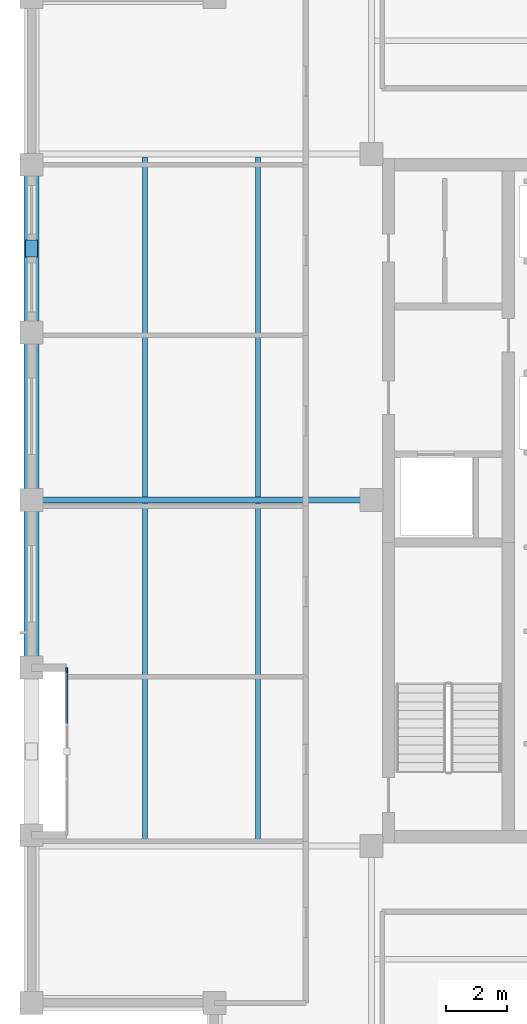
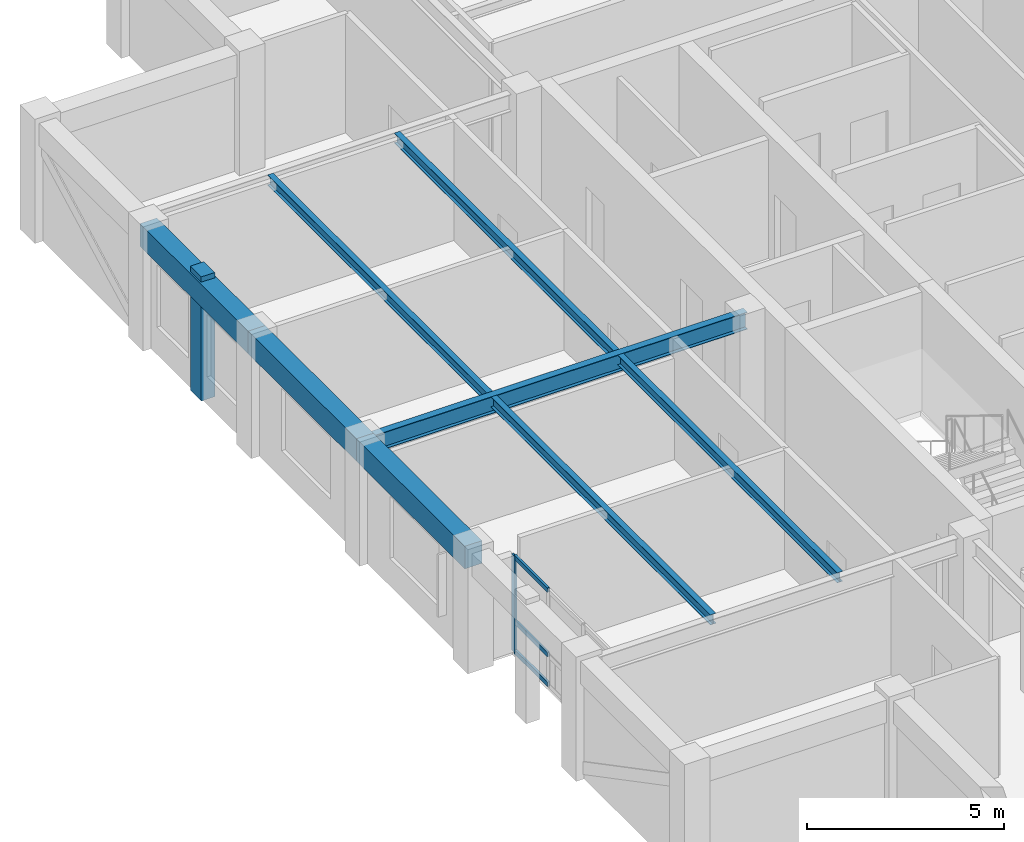
# One storey, part 4 of 13: 8 beams, 5 members, 1 element without a shape of its own.
"""IFC4 building model written with IfcOpenShell, lengths in metres."""

from ifc_helpers import new_model, si_unit, direction, frame, origin, origin_2d, place, context, subcontext, project, spatial, rectangle, i_section, extrude, material, layer, layer_set, material_profile, profile_set, type_object, element, aggregate, save


model = new_model("IFC4")

# Units and contexts
model_context = context("Model", 3, precision=1e-05, world=origin(), true_north=direction((0.0, 1.0)))
body_context = subcontext(model_context, "Body", "Model", "MODEL_VIEW")
ifc_project = project(units=[si_unit("LENGTHUNIT", "METRE"), si_unit("AREAUNIT", "SQUARE_METRE"), si_unit("VOLUMEUNIT", "CUBIC_METRE"), si_unit("PLANEANGLEUNIT", "RADIAN"), si_unit("MASSUNIT", "GRAM", prefix="KILO")], contexts=[model_context])

# Site, building, storey
site_placement = place(None, origin())
site = spatial("IfcSite", under=ifc_project, at=site_placement, CompositionType="ELEMENT")
building_placement = place(site_placement, origin())
building = spatial("IfcBuilding", under=site, at=building_placement, Name="Nhamokura Convention Tower", CompositionType="ELEMENT")
storey_placement = place(building_placement, frame((0.0, 0.0, 300.64990234375)))
storey = spatial("IfcBuildingStorey", under=building, at=storey_placement, Name="L74", CompositionType="ELEMENT", Elevation=300.64990234375)

# Member
ifc_material_1 = material(Name="Bronze-pigmented precast concrete C45/55", Category="concrete")
ifc_material_profile_1 = material_profile(ifc_material_1, rectangle(XDim=0.39990234375, YDim=0.550048828125, at=origin_2d()))
ifc_profile_set_1 = profile_set([ifc_material_profile_1], Name="Bronze-pigmented precast concrete C45/55")
member_type_1 = type_object("IfcMemberType", Name="BronzePilaster_550", PredefinedType="USERDEFINED", material=ifc_profile_set_1)
member_1_placement = place(storey_placement, frame((9.5, 40.25, 0.0), z_axis=(0.0, 0.0, 1.0), x_axis=(1.0, 0.0, 0.0)))
element("IfcMember", 1, at=member_1_placement, inside=storey, type_object=member_type_1, Name="L74 Engaged Frame Pilaster WEST 4", ObjectType="PILASTER_TRIM", PredefinedType="USERDEFINED", context=body_context, shape_type="SweptSolid", body=[
    extrude(rectangle(XDim=0.39990234375, YDim=0.550048828125, at=origin_2d()), origin(), (0.0, 0.0, 1.0), 3.85009765625),
])

# Curtain wall, members
ifc_material_2 = material(Name="Anodised bronze aluminium AA6063-T6", Category="aluminium")
ifc_layer = layer(ifc_material_2, 0.155029296875)
ifc_layer_set = layer_set([ifc_layer], Name="CWSystem_ScaleSlot_Zone3")
curtain_wall_type = type_object("IfcCurtainWallType", Name="CWSystem_ScaleSlot_Zone3", PredefinedType="NOTDEFINED", material=ifc_layer_set)
curtain_wall_placement = place(storey_placement, origin())
curtain_wall = element("IfcCurtainWall", 2, at=curtain_wall_placement, inside=storey, type_object=curtain_wall_type, Name="L74 Curtain Wall ENV-L74-SLOT-W1", PredefinedType="NOTDEFINED")
ifc_material_3 = material(Name="Anodised bronze aluminium AA6063-T6", Category="aluminium")
ifc_material_profile_2 = material_profile(ifc_material_3, rectangle(XDim=0.06494140625, YDim=0.1650390625, at=origin_2d()))
ifc_profile_set_2 = profile_set([ifc_material_profile_2], Name="Anodised bronze aluminium AA6063-T6")
member_type_2 = type_object("IfcMemberType", Name="CWMullion_3", PredefinedType="MULLION", material=ifc_profile_set_2)
member_2_placement = place(storey_placement, frame((10.64990234375, 26.407470703125, 0.0), z_axis=(0.0, 0.0, 1.0), x_axis=(-1.0, 0.0, 0.0)))
member_2 = element("IfcMember", 3, at=member_2_placement, type_object=member_type_2, Name="CW-05 mullion 4", PredefinedType="MULLION", context=body_context, shape_type="SweptSolid", body=[
    extrude(rectangle(XDim=0.06494140625, YDim=0.1650390625, at=origin_2d()), origin(), (0.0, 0.0, 1.0), 2.985107421875),
])
ifc_material_4 = material(Name="Anodised bronze aluminium AA6063-T6", Category="aluminium")
ifc_material_profile_3 = material_profile(ifc_material_4, rectangle(XDim=0.06494140625, YDim=0.139892578125, at=origin_2d()))
ifc_profile_set_3 = profile_set([ifc_material_profile_3], Name="Anodised bronze aluminium AA6063-T6")
member_type_3 = type_object("IfcMemberType", Name="CWTransom_3", PredefinedType="USERDEFINED", material=ifc_profile_set_3)
member_3_placement = place(storey_placement, frame((10.64990234375, 24.67919921875, 0.03271484375), z_axis=(0.0, 1.0, 0.0), x_axis=(-1.0, 0.0, 0.0)))
member_3 = element("IfcMember", 4, at=member_3_placement, type_object=member_type_3, Name="CW-05 transom 3.1", ObjectType="TRANSOM", PredefinedType="USERDEFINED", context=body_context, shape_type="SweptSolid", body=[
    extrude(rectangle(XDim=0.06494140625, YDim=0.139892578125, at=origin_2d()), origin(), (0.0, 0.0, 1.0), 1.69580078125),
])
member_4_placement = place(storey_placement, frame((10.64990234375, 24.67919921875, 0.9501953125), z_axis=(0.0, 1.0, 0.0), x_axis=(-1.0, 0.0, 0.0)))
member_4 = element("IfcMember", 5, at=member_4_placement, type_object=member_type_3, Name="CW-05 transom 3.2", ObjectType="TRANSOM", PredefinedType="USERDEFINED", context=body_context, shape_type="SweptSolid", body=[
    extrude(rectangle(XDim=0.06494140625, YDim=0.139892578125, at=origin_2d()), origin(), (0.0, 0.0, 1.0), 1.69580078125),
])
member_5_placement = place(storey_placement, frame((10.64990234375, 24.67919921875, 2.95263671875), z_axis=(0.0, 1.0, 0.0), x_axis=(-1.0, 0.0, 0.0)))
member_5 = element("IfcMember", 6, at=member_5_placement, type_object=member_type_3, Name="CW-05 transom 3.3", ObjectType="TRANSOM", PredefinedType="USERDEFINED", context=body_context, shape_type="SweptSolid", body=[
    extrude(rectangle(XDim=0.06494140625, YDim=0.139892578125, at=origin_2d()), origin(), (0.0, 0.0, 1.0), 1.69580078125),
])
aggregate(curtain_wall, [member_2, member_3, member_4, member_5])

# Beams
ifc_material_5 = material(Name="Steel ASTM A992 Gr 50", Category="steel")
ifc_material_profile_4 = material_profile(ifc_material_5, i_section(OverallWidth=0.166015625, OverallDepth=0.31298828125, WebThickness=0.006591796875, FlangeThickness=0.01123046875, at=origin_2d()))
ifc_profile_set_4 = profile_set([ifc_material_profile_4], Name="Steel ASTM A992 Gr 50")
beam_type_1 = type_object("IfcBeamType", Name="FloorJoist_W310X45", PredefinedType="JOIST", material=ifc_profile_set_4)
for number, where, z_axis, x_axis, name in (
    (7, (13.216796875, 20.75244140625, 3.528564453125), (0.0, 1.0, 0.0), (-1.0, 0.0, 0.0), "L74 Composite Floor Joist W1A"),
    (8, (13.216796875, 32.1025390625, 3.528564453125), (0.0, 1.0, 0.0), (-1.0, 0.0, 0.0), "L74 Composite Floor Joist W1B"),
    (9, (16.933349609375, 20.75244140625, 3.528564453125), (0.0, 1.0, 0.0), (-1.0, 0.0, 0.0), "L74 Composite Floor Joist W2A"),
    (10, (16.933349609375, 32.1025390625, 3.528564453125), (0.0, 1.0, 0.0), (-1.0, 0.0, 0.0), "L74 Composite Floor Joist W2B"),
):
    element("IfcBeam", number, at=place(storey_placement, frame(where, z_axis=z_axis, x_axis=x_axis)), inside=storey, type_object=beam_type_1, Name=name, PredefinedType="JOIST", context=body_context, shape_type="SweptSolid", body=[
        extrude(i_section(OverallWidth=0.166015625, OverallDepth=0.31298828125, WebThickness=0.006591796875, FlangeThickness=0.01123046875, at=origin_2d()), origin(), (0.0, 0.0, 1.0), 11.14501953125),
    ])
ifc_material_6 = material(Name="Steel ASTM A992 Gr 50", Category="steel")
ifc_material_profile_5 = material_profile(ifc_material_6, i_section(OverallWidth=0.208984375, OverallDepth=0.532958984375, WebThickness=0.01025390625, FlangeThickness=0.015625, at=origin_2d()))
ifc_profile_set_5 = profile_set([ifc_material_profile_5], Name="Steel ASTM A992 Gr 50")
beam_type_2 = type_object("IfcBeamType", Name="PrimaryGirder_W530X92", PredefinedType="BEAM", material=ifc_profile_set_5)
beam_placement = place(storey_placement, frame((9.5, 32.0, 3.418701171875), z_axis=(1.0, 0.0, 0.0), x_axis=(0.0, 1.0, 0.0)))
element("IfcBeam", 11, at=beam_placement, inside=storey, type_object=beam_type_2, Name="L74 Primary Floor Girder PG-W2", PredefinedType="BEAM", context=body_context, shape_type="SweptSolid", body=[
    extrude(i_section(OverallWidth=0.208984375, OverallDepth=0.532958984375, WebThickness=0.01025390625, FlangeThickness=0.015625, at=origin_2d()), origin(), (0.0, 0.0, 1.0), 11.14990234375),
])
ifc_material_7 = material(Name="Concrete C50/60", Category="concrete")
ifc_material_profile_6 = material_profile(ifc_material_7, rectangle(XDim=0.5, YDim=0.699951171875, at=origin_2d()))
ifc_profile_set_6 = profile_set([ifc_material_profile_6], Name="Concrete C50/60")
beam_type_3 = type_object("IfcBeamType", Name="TubeSpandrel_700", PredefinedType="SPANDREL", material=ifc_profile_set_6)
for number, where, z_axis, x_axis, name in (
    (12, (9.5, 26.5, 3.335205078125), (0.0, 1.0, 0.0), (-1.0, 0.0, 0.0), "L74 Perimeter Spandrel WEST 3"),
    (13, (9.5, 32.0, 3.335205078125), (0.0, 1.0, 0.0), (-1.0, 0.0, 0.0), "L74 Perimeter Spandrel WEST 4"),
    (14, (9.5, 37.5, 3.335205078125), (0.0, 1.0, 0.0), (-1.0, 0.0, 0.0), "L74 Perimeter Spandrel WEST 5"),
):
    element("IfcBeam", number, at=place(storey_placement, frame(where, z_axis=z_axis, x_axis=x_axis)), inside=storey, type_object=beam_type_3, Name=name, PredefinedType="SPANDREL", context=body_context, shape_type="SweptSolid", body=[
        extrude(rectangle(XDim=0.5, YDim=0.699951171875, at=origin_2d()), origin(), (0.0, 0.0, 1.0), 5.5),
    ])

save(model, "model.ifc")
